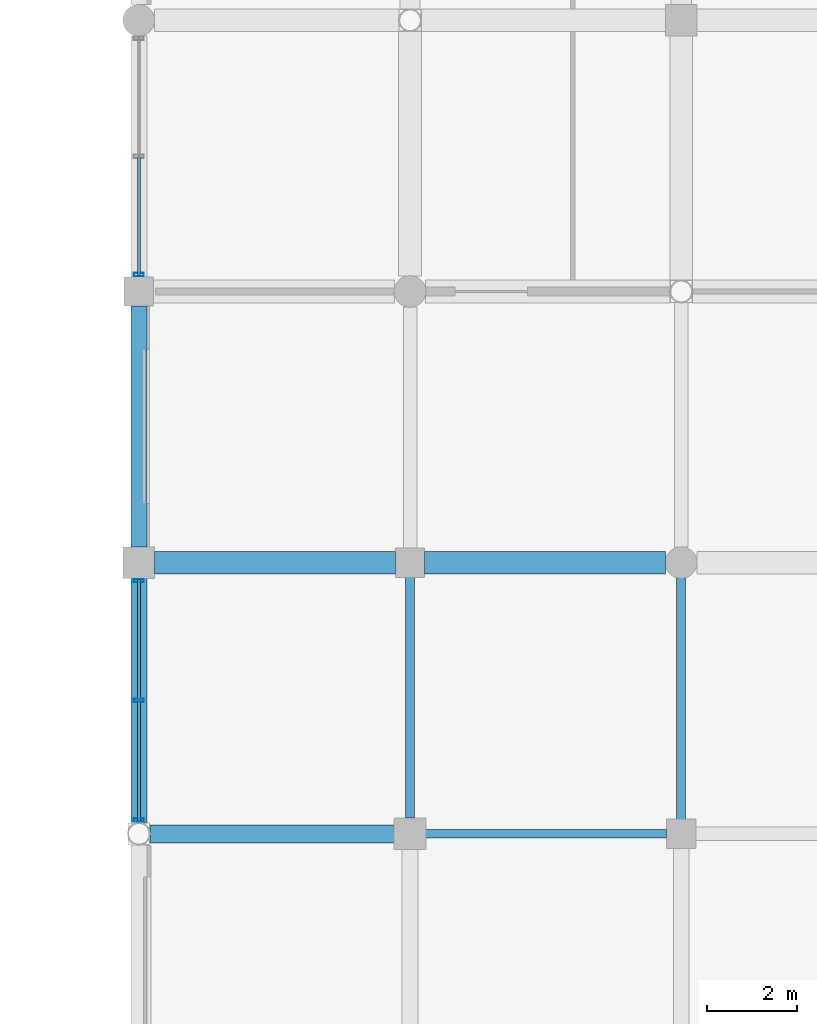
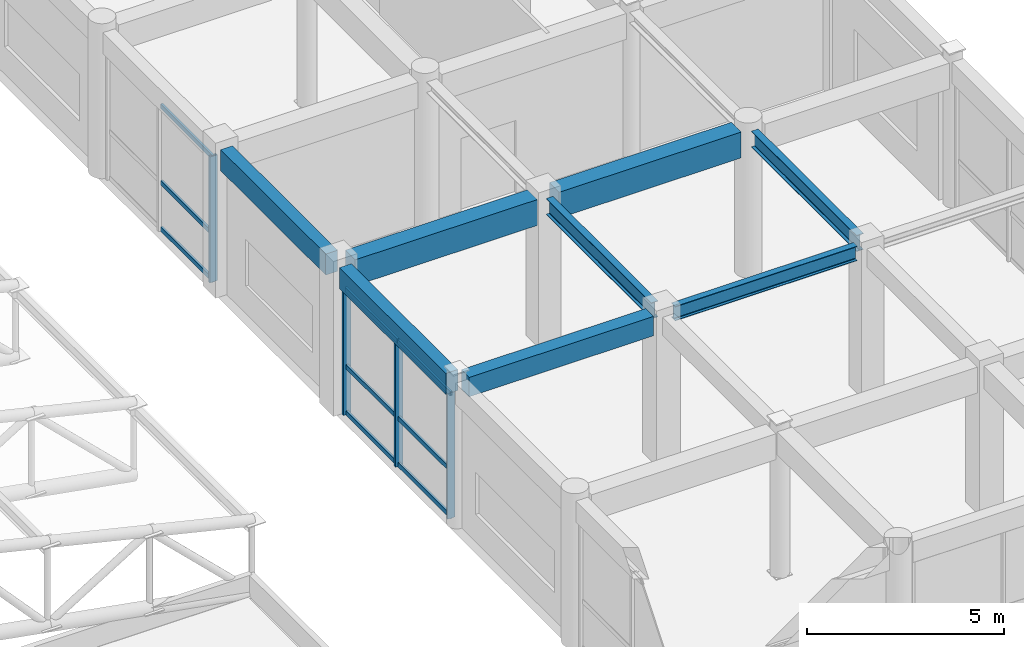
# One storey, part 61 of 112: 13 members, 8 beams, 2 elements without a shape of their own.
"""IFC4 building model written with IfcOpenShell, lengths in metres."""

import ifcopenshell
import ifcopenshell.guid

model = None  # the IFC model being written
_history = None  # IfcOwnerHistory: only IFC2X3 demands one
_inside = {}  # id of a spatial element -> (the spatial element, [elements in it])
_under = {}  # id of a project, library or spatial element -> (it, [spatial elements below it])
_declared = {}  # id of a project -> (the project, [libraries it declares])
_typed = {}  # id of a type object -> (the type object, [elements of that type])
_made_of = {}  # id of a material, layer set ... -> (it, [elements and type objects made of it])


def new_model(schema):
    """Start an empty IFC model of exactly this schema.

    Asked for "IFC4X3", IfcOpenShell would pick the latest addendum, in which some entities
    have other attributes; the version numbers below select the first issue.
    IFC2X3 requires an IfcOwnerHistory on every rooted entity: one is made here for all.
    """
    global model, _history
    if schema == "IFC4X3":
        model = ifcopenshell.file(schema_version=(4, 3, 0, 0))
    else:
        model = ifcopenshell.file(schema=schema)
    _inside.clear()
    _under.clear()
    _declared.clear()
    _typed.clear()
    _made_of.clear()
    _history = None
    if model.schema == "IFC2X3":
        org = make("IfcOrganization", Name="unknown")
        user = make(
            "IfcPersonAndOrganization",
            ThePerson=make("IfcPerson", FamilyName="unknown"),
            TheOrganization=org,
        )
        app = make(
            "IfcApplication",
            ApplicationDeveloper=org,
            Version="unknown",
            ApplicationFullName="unknown",
            ApplicationIdentifier="unknown",
        )
        _history = make(
            "IfcOwnerHistory",
            OwningUser=user,
            OwningApplication=app,
            ChangeAction="ADDED",
            CreationDate=0,
        )
    return model


def make(cls, **values):
    """One entity of the class cls with the attributes given. An attribute that is None is left unset."""
    return model.create_entity(
        cls, **{name: value for name, value in values.items() if value is not None}
    )


def rooted(cls, **values):
    """An entity with a GlobalId (a new one), such as an element, a storey or a relation."""
    return make(cls, GlobalId=ifcopenshell.guid.new(), OwnerHistory=_history, **values)


def si_unit(unit_type, name, prefix=None):
    """IfcSIUnit, for example si_unit("LENGTHUNIT", "METRE", prefix="MILLI")."""
    return make("IfcSIUnit", UnitType=unit_type, Prefix=prefix, Name=name)


def assignment(units):
    """IfcUnitAssignment: the units of a project."""
    return None if units is None else make("IfcUnitAssignment", Units=units)


def point(xyz):
    """IfcCartesianPoint."""
    return None if xyz is None else make("IfcCartesianPoint", Coordinates=xyz)


def direction(xyz):
    """IfcDirection."""
    return None if xyz is None else make("IfcDirection", DirectionRatios=xyz)


def frame(location, z_axis=None, x_axis=None):
    """IfcAxis2Placement3D, a coordinate frame: its origin and axes. An axis left out is left unset."""
    return make(
        "IfcAxis2Placement3D",
        Location=point(location),
        Axis=direction(z_axis),
        RefDirection=direction(x_axis),
    )


def frame_2d(location, x_axis=None):
    """IfcAxis2Placement2D, a coordinate frame in the plane: its origin and x axis."""
    return make(
        "IfcAxis2Placement2D", Location=point(location), RefDirection=direction(x_axis)
    )


def origin():
    """The frame at (0, 0, 0) with its axes left unset."""
    return frame((0.0, 0.0, 0.0))


def origin_2d():
    """The frame at (0, 0) in the plane with its x axis left unset."""
    return frame_2d((0.0, 0.0))


def place(relative_to, where):
    """IfcLocalPlacement: puts the frame where relative to a parent placement (None: the world)."""
    return make(
        "IfcLocalPlacement", PlacementRelTo=relative_to, RelativePlacement=where
    )


def context(
    kind, dimensions, precision=None, world=None, true_north=None, identifier=None
):
    """IfcGeometricRepresentationContext, for example the 3D "Model" context."""
    return make(
        "IfcGeometricRepresentationContext",
        ContextIdentifier=identifier,
        ContextType=kind,
        CoordinateSpaceDimension=dimensions,
        Precision=precision,
        WorldCoordinateSystem=world,
        TrueNorth=true_north,
    )


def subcontext(parent, identifier, kind, view, scale=None):
    """IfcGeometricRepresentationSubContext, for example "Body" below "Model"."""
    return make(
        "IfcGeometricRepresentationSubContext",
        ContextIdentifier=identifier,
        ContextType=kind,
        ParentContext=parent,
        TargetScale=scale,
        TargetView=view,
    )


def project(units=None, contexts=None):
    """IfcProject with its units and contexts."""
    return rooted(
        "IfcProject",
        Name="project",
        RepresentationContexts=contexts,
        UnitsInContext=assignment(units),
    )


def spatial(cls, under=None, at=None, **own):
    """A site, building, storey or space (cls), placed at a placement, below another one or the project."""
    s = rooted(cls, ObjectPlacement=at, **own)
    if under is not None:
        _under.setdefault(under.id(), (under, []))[1].append(s)
    return s


def profile(cls, at=None, kind="AREA", **sizes):
    """A parametric profile (cls). Its sizes go by their IFC names, for example OverallWidth=200.0."""
    return make(cls, ProfileType=kind, Position=at, **sizes)


def rectangle(**sizes):
    """IfcRectangleProfileDef."""
    return profile("IfcRectangleProfileDef", **sizes)


def hollow_rectangle(**sizes):
    """IfcRectangleHollowProfileDef."""
    return profile("IfcRectangleHollowProfileDef", **sizes)


def i_section(**sizes):
    """IfcIShapeProfileDef."""
    return profile("IfcIShapeProfileDef", **sizes)


def extrude(swept, where, along, depth):
    """IfcExtrudedAreaSolid: the profile swept, set in the frame where, extruded along a direction by depth."""
    return make(
        "IfcExtrudedAreaSolid",
        SweptArea=swept,
        Position=where,
        ExtrudedDirection=direction(along),
        Depth=depth,
    )


def shape(context_of_items, identifier, shape_type, items):
    """IfcShapeRepresentation: the items that make up one representation, for example the "Body"."""
    return make(
        "IfcShapeRepresentation",
        ContextOfItems=context_of_items,
        RepresentationIdentifier=identifier,
        RepresentationType=shape_type,
        Items=items,
    )


def material(Name=None, Category=None):
    """IfcMaterial."""
    return make("IfcMaterial", Name=Name, Category=Category)


def material_profile(
    of_material, cross_section, Name=None, Category=None, Priority=None
):
    """IfcMaterialProfile: a cross section and its material."""
    return make(
        "IfcMaterialProfile",
        Name=Name,
        Material=of_material,
        Profile=cross_section,
        Priority=Priority,
        Category=Category,
    )


def profile_set(profiles, Name=None, composite=None):
    """IfcMaterialProfileSet."""
    return make(
        "IfcMaterialProfileSet",
        Name=Name,
        MaterialProfiles=profiles,
        CompositeProfile=composite,
    )


def made_of(thing, what):
    """Note that an element or type object is made of a material, layer set ...; save() writes the relation."""
    if what is not None:
        _made_of.setdefault(what.id(), (what, []))[1].append(thing)
    return thing


def type_object(cls, material=None, **own):
    """A type object (cls), such as IfcWallType, which elements share."""
    return made_of(rooted(cls, **own), material)


def element(
    cls,
    number,
    at=None,
    inside=None,
    cuts=None,
    type_object=None,
    material=None,
    context=None,
    identifier="Body",
    shape_type=None,
    held_by="IfcProductDefinitionShape",
    body=None,
    shapes=None,
    **own,
):
    """One element of the class cls, such as IfcWall. Its Tag is "e" and its number.

    at: its placement. inside: the storey or other place that contains it. cuts: it is an
    opening in that element (IfcRelVoidsElement). A single representation is given by context,
    identifier, shape_type and body (its items); several are given by shapes. held_by: the class
    of the entity that holds the representations. save() writes the other relations.
    """
    e = rooted(cls, Tag="e%d" % number, ObjectPlacement=at, **own)
    if body is not None:
        shapes = [shape(context, identifier, shape_type, body)]
    if shapes is not None:
        e.Representation = make(held_by, Representations=shapes)
    if inside is not None:
        _inside.setdefault(inside.id(), (inside, []))[1].append(e)
    if cuts is not None:
        rooted(
            "IfcRelVoidsElement", RelatingBuildingElement=cuts, RelatedOpeningElement=e
        )
    if type_object is not None:
        _typed.setdefault(type_object.id(), (type_object, []))[1].append(e)
    return made_of(e, material)


def aggregate(whole, parts):
    """IfcRelAggregates: a whole, such as a stair, and the parts it consists of."""
    return rooted("IfcRelAggregates", RelatingObject=whole, RelatedObjects=parts)


def save(model, path):
    """Write the relations noted so far, then the file.

    IfcRelAggregates (storeys below a building ...), IfcRelContainedInSpatialStructure (elements
    in a storey), IfcRelDefinesByType, IfcRelAssociatesMaterial and IfcRelDeclares: one each for
    every whole, place, type object, material and project.
    """
    for whole, parts in _under.values():
        aggregate(whole, parts)
    for where, things in _inside.values():
        rooted(
            "IfcRelContainedInSpatialStructure",
            RelatedElements=things,
            RelatingStructure=where,
        )
    for kind, things in _typed.values():
        rooted("IfcRelDefinesByType", RelatedObjects=things, RelatingType=kind)
    for what, things in _made_of.values():
        rooted("IfcRelAssociatesMaterial", RelatedObjects=things, RelatingMaterial=what)
    for by, libraries in _declared.values():
        rooted("IfcRelDeclares", RelatingContext=by, RelatedDefinitions=libraries)
    model.write(path)


model = new_model("IFC4")

# Units and contexts
model_context = context("Model", 3, precision=1e-05, world=origin(), true_north=direction((0.0, 1.0)))
body_context = subcontext(model_context, "Body", "Model", "MODEL_VIEW")
ifc_project = project(units=[si_unit("LENGTHUNIT", "METRE"), si_unit("AREAUNIT", "SQUARE_METRE"), si_unit("VOLUMEUNIT", "CUBIC_METRE"), si_unit("PLANEANGLEUNIT", "RADIAN"), si_unit("MASSUNIT", "GRAM", prefix="KILO"), si_unit("THERMODYNAMICTEMPERATUREUNIT", "KELVIN"), si_unit("POWERUNIT", "WATT")], contexts=[model_context])

# Site, building, storey
site_placement = place(None, origin())
site = spatial("IfcSite", under=ifc_project, at=site_placement, CompositionType="ELEMENT")
building_placement = place(site_placement, origin())
building = spatial("IfcBuilding", under=site, at=building_placement, Name="Phaisarnlok Congress Hotel", CompositionType="ELEMENT")
storey_placement = place(building_placement, frame((0.0, 0.0, 19.800048828125)))
storey = spatial("IfcBuildingStorey", under=building, at=storey_placement, Name="L04", CompositionType="ELEMENT", Elevation=19.800048828125)

# Beams
ifc_material_1 = material(Name="Concrete C40/50", Category="concrete")
ifc_material_profile_1 = material_profile(ifc_material_1, rectangle(XDim=0.39990234375, YDim=0.60009765625, at=origin_2d()), Name="RC 400x600")
ifc_profile_set_1 = profile_set([ifc_material_profile_1], Name="Concrete C40/50")
beam_type_1 = type_object("IfcBeamType", Name="BM-RC-400x600", PredefinedType="BEAM", material=ifc_profile_set_1)
beam_1_placement = place(storey_placement, frame((162.2490234375, 48.0, 4.25), z_axis=(1.0, 0.0, 0.0), x_axis=(0.0, 1.0, 0.0)))
element("IfcBeam", 1, at=beam_1_placement, inside=storey, type_object=beam_type_1, Name="Beam B-02", PredefinedType="BEAM", context=body_context, shape_type="SweptSolid", body=[
    extrude(rectangle(XDim=0.39990234375, YDim=0.60009765625, at=origin_2d()), origin(), (0.0, 0.0, 1.0), 5.406005859375),
])
ifc_material_profile_2 = material_profile(ifc_material_1, rectangle(XDim=0.5, YDim=0.800048828125, at=origin_2d()), Name="RC 500x800")
ifc_profile_set_2 = profile_set([ifc_material_profile_2], Name="Concrete C40/50")
beam_type_2 = type_object("IfcBeamType", Name="BM-RC-500x800", PredefinedType="BEAM", material=ifc_profile_set_2)
for number, where, z_axis, x_axis, name in (
    (2, (162.344970703125, 54.0, 4.14990234375), (1.0, 0.0, 0.0), (0.0, 1.0, 0.0), "Beam B-04"),
    (3, (168.320068359375, 54.0, 4.14990234375), (1.0, 0.0, 0.0), (0.0, 1.0, 0.0), "Beam B-04"),
):
    element("IfcBeam", number, at=place(storey_placement, frame(where, z_axis=z_axis, x_axis=x_axis)), inside=storey, type_object=beam_type_2, Name=name, PredefinedType="BEAM", context=body_context, shape_type="SweptSolid", body=[
        extrude(rectangle(XDim=0.5, YDim=0.800048828125, at=origin_2d()), origin(), (0.0, 0.0, 1.0), 5.3349609375),
    ])
ifc_material_2 = material(Name="Steel S355", Category="steel")
ifc_material_profile_3 = material_profile(ifc_material_2, i_section(OverallWidth=0.18994140625, OverallDepth=0.449951171875, WebThickness=0.009521484375, FlangeThickness=0.0146484375, FilletRadius=0.02099609375, at=origin_2d()), Name="IPE 450")
ifc_profile_set_3 = profile_set([ifc_material_profile_3], Name="Steel S355")
beam_type_3 = type_object("IfcBeamType", Name="BM-STL-IPE450", PredefinedType="BEAM", material=ifc_profile_set_3)
beam_2_placement = place(storey_placement, frame((168.344970703125, 48.0, 4.324951171875), z_axis=(1.0, 0.0, 0.0), x_axis=(0.0, 1.0, 0.0)))
element("IfcBeam", 4, at=beam_2_placement, inside=storey, type_object=beam_type_3, Name="Beam SB-01", PredefinedType="BEAM", context=body_context, shape_type="SweptSolid", body=[
    extrude(i_section(OverallWidth=0.18994140625, OverallDepth=0.449951171875, WebThickness=0.009521484375, FlangeThickness=0.0146484375, FilletRadius=0.02099609375, at=origin_2d()), origin(), (0.0, 0.0, 1.0), 5.3349609375),
])
ifc_material_profile_4 = material_profile(ifc_material_2, i_section(OverallWidth=0.199951171875, OverallDepth=0.5, WebThickness=0.01025390625, FlangeThickness=0.01611328125, FilletRadius=0.02099609375, at=origin_2d()), Name="IPE 500")
ifc_profile_set_4 = profile_set([ifc_material_profile_4], Name="Steel S355")
beam_type_4 = type_object("IfcBeamType", Name="BM-STL-IPE500", PredefinedType="BEAM", material=ifc_profile_set_4)
for number, where, z_axis, x_axis, name in (
    (5, (168.0, 48.344970703125, 4.300048828125), (0.0, 1.0, 0.0), (-1.0, 0.0, 0.0), "Beam SB-02"),
    (6, (174.0, 48.320068359375, 4.300048828125), (0.0, 1.0, 0.0), (-1.0, 0.0, 0.0), "Beam SB-02"),
):
    element("IfcBeam", number, at=place(storey_placement, frame(where, z_axis=z_axis, x_axis=x_axis)), inside=storey, type_object=beam_type_4, Name=name, PredefinedType="BEAM", context=body_context, shape_type="SweptSolid", body=[
        extrude(i_section(OverallWidth=0.199951171875, OverallDepth=0.5, WebThickness=0.01025390625, FlangeThickness=0.01611328125, FilletRadius=0.02099609375, at=origin_2d()), origin(), (0.0, 0.0, 1.0), 5.3349609375),
    ])

# Curtain wall, member
ifc_material_3 = material(Name="Thermally Broken Unitised Aluminium & Low-E Glazing", Category="aluminium")
curtain_wall_type_1 = type_object("IfcCurtainWallType", Name="CW-UNIT-33", PredefinedType="NOTDEFINED", material=ifc_material_3)
curtain_wall_1_placement = place(storey_placement, origin())
curtain_wall_1 = element("IfcCurtainWall", 7, at=curtain_wall_1_placement, inside=storey, type_object=curtain_wall_type_1, Name="Unitised curtain wall CW-33 (L04)", PredefinedType="NOTDEFINED")
ifc_material_4 = material(Name="Anodised Aluminium Alloy 6063-T6", Category="aluminium")
ifc_material_profile_5 = material_profile(ifc_material_4, hollow_rectangle(XDim=0.074951171875, YDim=0.219970703125, WallThickness=0.0048828125, at=origin_2d()), Name="ALU-M 75x220x5")
ifc_profile_set_5 = profile_set([ifc_material_profile_5], Name="Anodised Aluminium Alloy 6063-T6")
member_type_1 = type_object("IfcMemberType", Name="CWM-220", PredefinedType="MULLION", material=ifc_profile_set_5)
member_1_placement = place(storey_placement, frame((162.0, 60.375, 0.0), z_axis=(0.0, 0.0, 1.0), x_axis=(0.0, -1.0, 0.0)))
member_1 = element("IfcMember", 8, at=member_1_placement, type_object=member_type_1, Name="Curtain wall mullion CWM-02", PredefinedType="MULLION", context=body_context, shape_type="SweptSolid", body=[
    extrude(hollow_rectangle(XDim=0.074951171875, YDim=0.219970703125, WallThickness=0.0048828125, at=origin_2d()), origin(), (0.0, 0.0, 1.0), 3.89990234375),
])

# Curtain wall, members
curtain_wall_type_2 = type_object("IfcCurtainWallType", Name="CW-UNIT-34", PredefinedType="NOTDEFINED", material=ifc_material_3)
curtain_wall_2_placement = place(storey_placement, origin())
curtain_wall_2 = element("IfcCurtainWall", 9, at=curtain_wall_2_placement, inside=storey, type_object=curtain_wall_type_2, Name="Unitised curtain wall CW-34 (L04)", PredefinedType="NOTDEFINED")
member_2_placement = place(storey_placement, frame((162.0, 53.60009765625, 0.0), z_axis=(0.0, 0.0, 1.0), x_axis=(0.0, -1.0, 0.0)))
member_2 = element("IfcMember", 10, at=member_2_placement, type_object=member_type_1, Name="Curtain wall mullion CWM-02", PredefinedType="MULLION", context=body_context, shape_type="SweptSolid", body=[
    extrude(hollow_rectangle(XDim=0.074951171875, YDim=0.219970703125, WallThickness=0.0048828125, at=origin_2d()), origin(), (0.0, 0.0, 1.0), 3.89990234375),
])
member_3_placement = place(storey_placement, frame((162.0, 50.951904296875, 0.0), z_axis=(0.0, 0.0, 1.0), x_axis=(0.0, -1.0, 0.0)))
member_3 = element("IfcMember", 11, at=member_3_placement, type_object=member_type_1, Name="Curtain wall mullion CWM-02", PredefinedType="MULLION", context=body_context, shape_type="SweptSolid", body=[
    extrude(hollow_rectangle(XDim=0.074951171875, YDim=0.219970703125, WallThickness=0.0048828125, at=origin_2d()), origin(), (0.0, 0.0, 1.0), 3.89990234375),
])
member_4_placement = place(storey_placement, frame((162.0, 48.303955078125, 0.0), z_axis=(0.0, 0.0, 1.0), x_axis=(0.0, -1.0, 0.0)))
member_4 = element("IfcMember", 12, at=member_4_placement, type_object=member_type_1, Name="Curtain wall mullion CWM-02", PredefinedType="MULLION", context=body_context, shape_type="SweptSolid", body=[
    extrude(hollow_rectangle(XDim=0.074951171875, YDim=0.219970703125, WallThickness=0.0048828125, at=origin_2d()), origin(), (0.0, 0.0, 1.0), 3.89990234375),
])

# Member
ifc_material_profile_6 = material_profile(ifc_material_4, hollow_rectangle(XDim=0.06494140625, YDim=0.139892578125, WallThickness=0.00390625, at=origin_2d()), Name="ALU-T 65x140x4")
ifc_profile_set_6 = profile_set([ifc_material_profile_6], Name="Anodised Aluminium Alloy 6063-T6")
member_type_2 = type_object("IfcMemberType", Name="CWT-150", PredefinedType="USERDEFINED", material=ifc_profile_set_6)
member_5_placement = place(storey_placement, frame((162.0, 62.972412109375, 0.050048828125), z_axis=(0.0, -1.0, 0.0), x_axis=(1.0, 0.0, 0.0)))
member_5 = element("IfcMember", 13, at=member_5_placement, type_object=member_type_2, Name="Curtain wall transom CWT-01", ObjectType="TRANSOM", PredefinedType="USERDEFINED", context=body_context, shape_type="SweptSolid", body=[
    extrude(hollow_rectangle(XDim=0.06494140625, YDim=0.139892578125, WallThickness=0.00390625, at=origin_2d()), origin(), (0.0, 0.0, 1.0), 2.622314453125),
])

member_6_placement = place(storey_placement, frame((162.0, 62.972412109375, 1.48193359375), z_axis=(0.0, -1.0, 0.0), x_axis=(1.0, 0.0, 0.0)))
member_6 = element("IfcMember", 14, at=member_6_placement, type_object=member_type_2, Name="Curtain wall transom CWT-01", ObjectType="TRANSOM", PredefinedType="USERDEFINED", context=body_context, shape_type="SweptSolid", body=[
    extrude(hollow_rectangle(XDim=0.06494140625, YDim=0.139892578125, WallThickness=0.00390625, at=origin_2d()), origin(), (0.0, 0.0, 1.0), 2.622314453125),
])

member_7_placement = place(storey_placement, frame((162.0, 62.972412109375, 3.849853515625), z_axis=(0.0, -1.0, 0.0), x_axis=(1.0, 0.0, 0.0)))
member_7 = element("IfcMember", 15, at=member_7_placement, type_object=member_type_2, Name="Curtain wall transom CWT-01", ObjectType="TRANSOM", PredefinedType="USERDEFINED", context=body_context, shape_type="SweptSolid", body=[
    extrude(hollow_rectangle(XDim=0.06494140625, YDim=0.139892578125, WallThickness=0.00390625, at=origin_2d()), origin(), (0.0, 0.0, 1.0), 2.622314453125),
])

aggregate(curtain_wall_1, [member_1, member_5, member_6, member_7])

member_8_placement = place(storey_placement, frame((162.0, 53.625, 0.050048828125), z_axis=(0.0, -1.0, 0.0), x_axis=(1.0, 0.0, 0.0)))
member_8 = element("IfcMember", 16, at=member_8_placement, type_object=member_type_2, Name="Curtain wall transom CWT-01", ObjectType="TRANSOM", PredefinedType="USERDEFINED", context=body_context, shape_type="SweptSolid", body=[
    extrude(hollow_rectangle(XDim=0.06494140625, YDim=0.139892578125, WallThickness=0.00390625, at=origin_2d()), origin(), (0.0, 0.0, 1.0), 2.657958984375),
])

member_9_placement = place(storey_placement, frame((162.0, 53.625, 1.48193359375), z_axis=(0.0, -1.0, 0.0), x_axis=(1.0, 0.0, 0.0)))
member_9 = element("IfcMember", 17, at=member_9_placement, type_object=member_type_2, Name="Curtain wall transom CWT-01", ObjectType="TRANSOM", PredefinedType="USERDEFINED", context=body_context, shape_type="SweptSolid", body=[
    extrude(hollow_rectangle(XDim=0.06494140625, YDim=0.139892578125, WallThickness=0.00390625, at=origin_2d()), origin(), (0.0, 0.0, 1.0), 2.657958984375),
])

member_10_placement = place(storey_placement, frame((162.0, 53.625, 3.849853515625), z_axis=(0.0, -1.0, 0.0), x_axis=(1.0, 0.0, 0.0)))
member_10 = element("IfcMember", 18, at=member_10_placement, type_object=member_type_2, Name="Curtain wall transom CWT-01", ObjectType="TRANSOM", PredefinedType="USERDEFINED", context=body_context, shape_type="SweptSolid", body=[
    extrude(hollow_rectangle(XDim=0.06494140625, YDim=0.139892578125, WallThickness=0.00390625, at=origin_2d()), origin(), (0.0, 0.0, 1.0), 2.657958984375),
])

member_11_placement = place(storey_placement, frame((162.0, 50.93701171875, 0.050048828125), z_axis=(0.0, -1.0, 0.0), x_axis=(1.0, 0.0, 0.0)))
member_11 = element("IfcMember", 19, at=member_11_placement, type_object=member_type_2, Name="Curtain wall transom CWT-01", ObjectType="TRANSOM", PredefinedType="USERDEFINED", context=body_context, shape_type="SweptSolid", body=[
    extrude(hollow_rectangle(XDim=0.06494140625, YDim=0.139892578125, WallThickness=0.00390625, at=origin_2d()), origin(), (0.0, 0.0, 1.0), 2.657958984375),
])

member_12_placement = place(storey_placement, frame((162.0, 50.93701171875, 1.48193359375), z_axis=(0.0, -1.0, 0.0), x_axis=(1.0, 0.0, 0.0)))
member_12 = element("IfcMember", 20, at=member_12_placement, type_object=member_type_2, Name="Curtain wall transom CWT-01", ObjectType="TRANSOM", PredefinedType="USERDEFINED", context=body_context, shape_type="SweptSolid", body=[
    extrude(hollow_rectangle(XDim=0.06494140625, YDim=0.139892578125, WallThickness=0.00390625, at=origin_2d()), origin(), (0.0, 0.0, 1.0), 2.657958984375),
])

member_13_placement = place(storey_placement, frame((162.0, 50.93701171875, 3.849853515625), z_axis=(0.0, -1.0, 0.0), x_axis=(1.0, 0.0, 0.0)))
member_13 = element("IfcMember", 21, at=member_13_placement, type_object=member_type_2, Name="Curtain wall transom CWT-01", ObjectType="TRANSOM", PredefinedType="USERDEFINED", context=body_context, shape_type="SweptSolid", body=[
    extrude(hollow_rectangle(XDim=0.06494140625, YDim=0.139892578125, WallThickness=0.00390625, at=origin_2d()), origin(), (0.0, 0.0, 1.0), 2.657958984375),
])

aggregate(curtain_wall_2, [member_2, member_3, member_4, member_8, member_9, member_10, member_11, member_12, member_13])

# Beams
ifc_material_profile_7 = material_profile(ifc_material_1, rectangle(XDim=0.35009765625, YDim=0.64990234375, at=origin_2d()), Name="RC 350x650")
ifc_profile_set_7 = profile_set([ifc_material_profile_7], Name="Concrete C40/50")
beam_type_5 = type_object("IfcBeamType", Name="SP-RC-350x650", PredefinedType="SPANDREL", material=ifc_profile_set_7)
beam_3_placement = place(storey_placement, frame((162.0, 48.2490234375, 4.224853515625), z_axis=(0.0, 1.0, 0.0), x_axis=(-1.0, 0.0, 0.0)))
element("IfcBeam", 22, at=beam_3_placement, inside=storey, type_object=beam_type_5, Name="Beam SP-01", PredefinedType="SPANDREL", context=body_context, shape_type="SweptSolid", body=[
    extrude(rectangle(XDim=0.35009765625, YDim=0.64990234375, at=origin_2d()), origin(), (0.0, 0.0, 1.0), 5.406005859375),
])
beam_4_placement = place(storey_placement, frame((162.0, 54.344970703125, 4.224853515625), z_axis=(0.0, 1.0, 0.0), x_axis=(-1.0, 0.0, 0.0)))
element("IfcBeam", 23, at=beam_4_placement, inside=storey, type_object=beam_type_5, Name="Beam SP-01", PredefinedType="SPANDREL", context=body_context, shape_type="SweptSolid", body=[
    extrude(rectangle(XDim=0.35009765625, YDim=0.64990234375, at=origin_2d()), origin(), (0.0, 0.0, 1.0), 5.3349609375),
])

save(model, "model.ifc")
